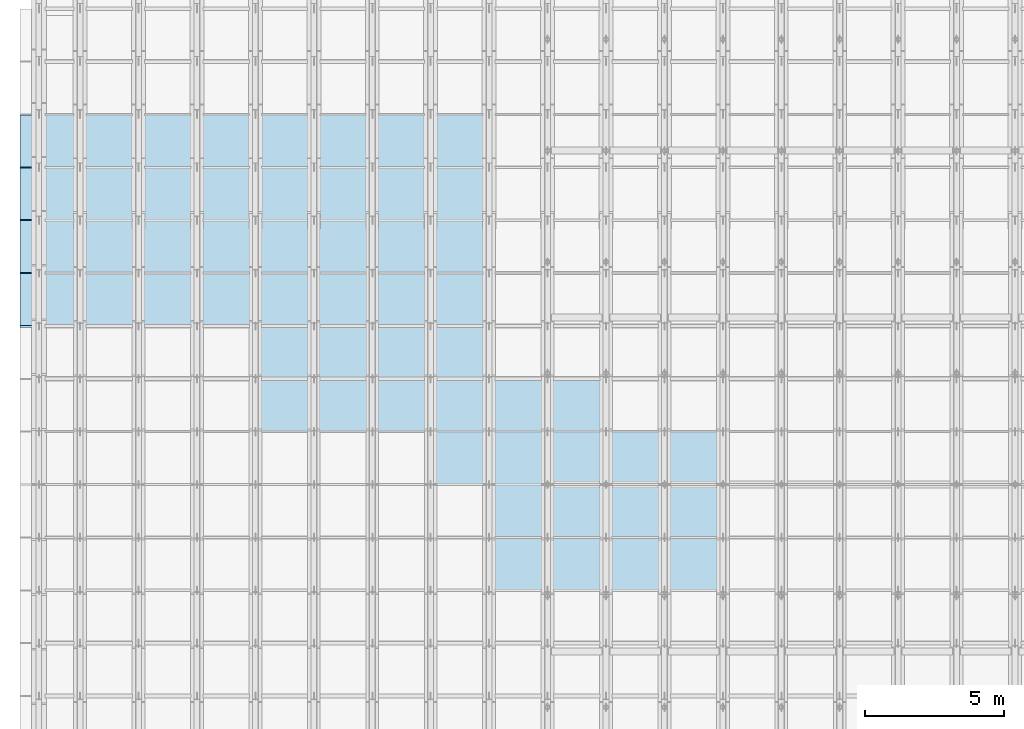
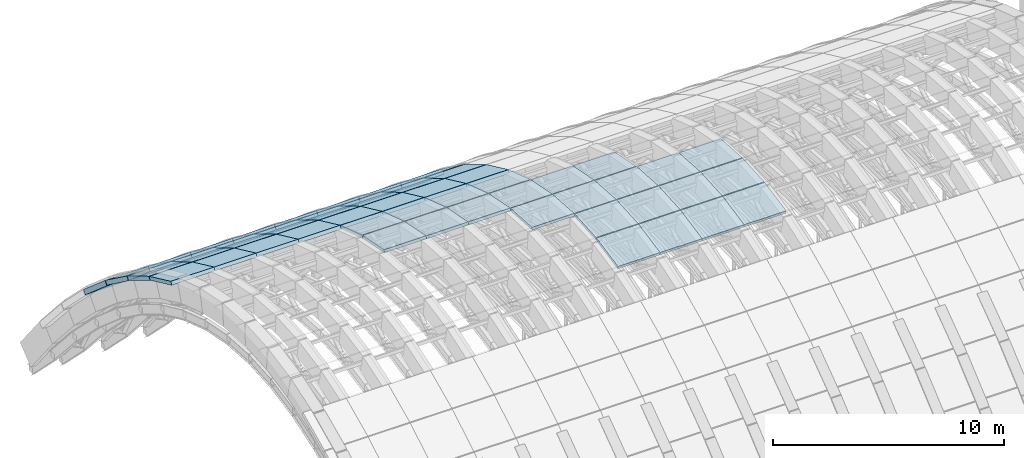
# One storey, part 53 of 67: 55 plates, 1 element without a shape of its own.
"""IFC4 building model written with IfcOpenShell, lengths in metres."""

from ifc_helpers import new_model, si_unit, direction, frame, origin, place, context, subcontext, project, spatial, polyline, outline, extrude, material, layer, layer_set, type_object, element, aggregate, save


model = new_model("IFC4")

# Units and contexts
model_context = context("Model", 3, precision=1e-05, world=origin(), true_north=direction((0.0, 1.0)))
body_context = subcontext(model_context, "Body", "Model", "MODEL_VIEW")
ifc_project = project(units=[si_unit("LENGTHUNIT", "METRE"), si_unit("AREAUNIT", "SQUARE_METRE"), si_unit("VOLUMEUNIT", "CUBIC_METRE"), si_unit("PLANEANGLEUNIT", "RADIAN"), si_unit("MASSUNIT", "GRAM", prefix="KILO")], contexts=[model_context])

# Site, building, storey
site_placement = place(None, origin())
site = spatial("IfcSite", under=ifc_project, at=site_placement, CompositionType="ELEMENT")
building_placement = place(site_placement, origin())
building = spatial("IfcBuilding", under=site, at=building_placement, Name="Shengluoqiao Park Theatre", CompositionType="ELEMENT")
storey_placement = place(building_placement, frame((0.0, 0.0, 28.60009765625)))
storey = spatial("IfcBuildingStorey", under=building, at=storey_placement, Name="Roof", CompositionType="ELEMENT", Elevation=28.60009765625)

# Roof, plates
ifc_material = material(Name="Concrete C50", Category="concrete")
roof_type = type_object("IfcRoofType", Name="STR-ROOF-BARREL", PredefinedType="BARREL_ROOF", material=ifc_material)
roof_placement = place(storey_placement, origin())
roof = element("IfcRoof", 1, at=roof_placement, inside=storey, type_object=roof_type, Name="Main Theatre Barrel-Vault Thin-Shell Roof", PredefinedType="BARREL_ROOF")
ifc_layer_1 = layer(ifc_material, 0.25, Name="Concrete C50")
ifc_layer_set_1 = layer_set([ifc_layer_1], Name="Concrete C50")
plate_type_1 = type_object("IfcPlateType", Name="STR-SHP-SP-04", PredefinedType="USERDEFINED", material=ifc_layer_set_1)
plate_1_placement = place(storey_placement, frame((44.340087890625, 106.41796875, -1.350341796875), z_axis=(0.0, 0.653002411915, 0.757355827886), x_axis=(1.0, 0.0, 0.0)))
plate_1 = element("IfcPlate", 2, at=plate_1_placement, type_object=plate_type_1, Name="Barrel-Vault Shell Panel B01-S17", ObjectType="SHELL PANEL", PredefinedType="USERDEFINED", context=body_context, shape_type="SweptSolid", body=[
    extrude(outline(polyline([(0.0, 0.0), (2.159912109375, 0.0), (2.159912109375, 2.461212554577048), (0.0, 2.461212554577048), (0.0, 0.0)])), origin(), (0.0, 0.0, -1.0), 0.25),
])
plate_2_placement = place(storey_placement, frame((46.5, 106.41796875, -1.350341796875), z_axis=(0.0, 0.653002411915, 0.757355827886), x_axis=(1.0, 0.0, 0.0)))
plate_2 = element("IfcPlate", 3, at=plate_2_placement, type_object=plate_type_1, Name="Barrel-Vault Shell Panel B02-S17", ObjectType="SHELL PANEL", PredefinedType="USERDEFINED", context=body_context, shape_type="SweptSolid", body=[
    extrude(outline(polyline([(0.0, 0.0), (2.10009765625, 0.0), (2.10009765625, 2.461212554577048), (0.0, 2.461212554577048), (0.0, 0.0)])), origin(), (0.0, 0.0, -1.0), 0.25),
])
plate_3_placement = place(storey_placement, frame((48.60009765625, 106.41796875, -1.350341796875), z_axis=(0.0, 0.653002411915, 0.757355827886), x_axis=(1.0, 0.0, 0.0)))
plate_3 = element("IfcPlate", 4, at=plate_3_placement, type_object=plate_type_1, Name="Barrel-Vault Shell Panel B03-S17", ObjectType="SHELL PANEL", PredefinedType="USERDEFINED", context=body_context, shape_type="SweptSolid", body=[
    extrude(outline(polyline([(0.0, 0.0), (2.099853515625, 0.0), (2.099853515625, 2.461212554577048), (0.0, 2.461212554577048), (0.0, 0.0)])), origin(), (0.0, 0.0, -1.0), 0.25),
])
plate_4_placement = place(storey_placement, frame((50.699951171875, 106.41796875, -1.350341796875), z_axis=(0.0, 0.653002411915, 0.757355827886), x_axis=(1.0, 0.0, 0.0)))
plate_4 = element("IfcPlate", 5, at=plate_4_placement, type_object=plate_type_1, Name="Barrel-Vault Shell Panel B04-S17", ObjectType="SHELL PANEL", PredefinedType="USERDEFINED", context=body_context, shape_type="SweptSolid", body=[
    extrude(outline(polyline([(0.0, 0.0), (2.10009765625, 0.0), (2.10009765625, 2.461212554577048), (0.0, 2.461212554577048), (0.0, 0.0)])), origin(), (0.0, 0.0, -1.0), 0.25),
])
plate_5_placement = place(storey_placement, frame((52.800048828125, 106.41796875, -1.350341796875), z_axis=(0.0, 0.653002411915, 0.757355827886), x_axis=(1.0, 0.0, 0.0)))
plate_5 = element("IfcPlate", 6, at=plate_5_placement, type_object=plate_type_1, Name="Barrel-Vault Shell Panel B05-S17", ObjectType="SHELL PANEL", PredefinedType="USERDEFINED", context=body_context, shape_type="SweptSolid", body=[
    extrude(outline(polyline([(0.0, 0.0), (2.099853515625, 0.0), (2.099853515625, 2.461212554577048), (0.0, 2.461212554577048), (0.0, 0.0)])), origin(), (0.0, 0.0, -1.0), 0.25),
])
plate_6_placement = place(storey_placement, frame((54.89990234375, 106.41796875, -1.350341796875), z_axis=(0.0, 0.653002411915, 0.757355827886), x_axis=(1.0, 0.0, 0.0)))
plate_6 = element("IfcPlate", 7, at=plate_6_placement, type_object=plate_type_1, Name="Barrel-Vault Shell Panel B06-S17", ObjectType="SHELL PANEL", PredefinedType="USERDEFINED", context=body_context, shape_type="SweptSolid", body=[
    extrude(outline(polyline([(0.0, 0.0), (2.10009765625, 0.0), (2.10009765625, 2.461212554577048), (0.0, 2.461212554577048), (0.0, 0.0)])), origin(), (0.0, 0.0, -1.0), 0.25),
])
plate_7_placement = place(storey_placement, frame((57.0, 106.41796875, -1.350341796875), z_axis=(0.0, 0.653002411915, 0.757355827886), x_axis=(1.0, 0.0, 0.0)))
plate_7 = element("IfcPlate", 8, at=plate_7_placement, type_object=plate_type_1, Name="Barrel-Vault Shell Panel B07-S17", ObjectType="SHELL PANEL", PredefinedType="USERDEFINED", context=body_context, shape_type="SweptSolid", body=[
    extrude(outline(polyline([(0.0, 0.0), (2.10009765625, 0.0), (2.10009765625, 2.461212554577048), (0.0, 2.461212554577048), (0.0, 0.0)])), origin(), (0.0, 0.0, -1.0), 0.25),
])
plate_8_placement = place(storey_placement, frame((59.10009765625, 106.41796875, -1.350341796875), z_axis=(0.0, 0.653002411915, 0.757355827886), x_axis=(1.0, 0.0, 0.0)))
plate_8 = element("IfcPlate", 9, at=plate_8_placement, type_object=plate_type_1, Name="Barrel-Vault Shell Panel B08-S17", ObjectType="SHELL PANEL", PredefinedType="USERDEFINED", context=body_context, shape_type="SweptSolid", body=[
    extrude(outline(polyline([(0.0, 0.0), (2.099853515625, 0.0), (2.099853515625, 2.461212554577048), (0.0, 2.461212554577048), (0.0, 0.0)])), origin(), (0.0, 0.0, -1.0), 0.25),
])
ifc_layer_2 = layer(ifc_material, 0.219970703125, Name="Concrete C50")
ifc_layer_set_2 = layer_set([ifc_layer_2], Name="Concrete C50")
plate_type_2 = type_object("IfcPlateType", Name="STR-SHP-SP-05", PredefinedType="USERDEFINED", material=ifc_layer_set_2)
plate_9_placement = place(storey_placement, frame((44.340087890625, 104.51806640625, 0.037841796875), z_axis=(0.0, 0.589297368188, 0.807916215858), x_axis=(1.0, 0.0, 0.0)))
plate_9 = element("IfcPlate", 10, at=plate_9_placement, type_object=plate_type_2, Name="Barrel-Vault Shell Panel B01-S16", ObjectType="SHELL PANEL", PredefinedType="USERDEFINED", context=body_context, shape_type="SweptSolid", body=[
    extrude(outline(polyline([(0.0, 0.0), (2.159912109375, 0.0), (2.159912109375, 2.3071868533976145), (0.0, 2.3071868533976145), (0.0, 0.0)])), origin(), (0.0, 0.0, -1.0), 0.219970703125),
])
plate_10_placement = place(storey_placement, frame((46.5, 104.51806640625, 0.037841796875), z_axis=(0.0, 0.589297368188, 0.807916215858), x_axis=(1.0, 0.0, 0.0)))
plate_10 = element("IfcPlate", 11, at=plate_10_placement, type_object=plate_type_2, Name="Barrel-Vault Shell Panel B02-S16", ObjectType="SHELL PANEL", PredefinedType="USERDEFINED", context=body_context, shape_type="SweptSolid", body=[
    extrude(outline(polyline([(0.0, 0.0), (2.10009765625, 0.0), (2.10009765625, 2.307186853397614), (0.0, 2.307186853397614), (0.0, 0.0)])), origin(), (0.0, 0.0, -1.0), 0.219970703125),
])
plate_11_placement = place(storey_placement, frame((48.60009765625, 104.51806640625, 0.037841796875), z_axis=(0.0, 0.589297368188, 0.807916215858), x_axis=(1.0, 0.0, 0.0)))
plate_11 = element("IfcPlate", 12, at=plate_11_placement, type_object=plate_type_2, Name="Barrel-Vault Shell Panel B03-S16", ObjectType="SHELL PANEL", PredefinedType="USERDEFINED", context=body_context, shape_type="SweptSolid", body=[
    extrude(outline(polyline([(0.0, 0.0), (2.099853515625, 0.0), (2.099853515625, 2.307186853397614), (0.0, 2.307186853397614), (0.0, 0.0)])), origin(), (0.0, 0.0, -1.0), 0.219970703125),
])
plate_12_placement = place(storey_placement, frame((50.699951171875, 104.51806640625, 0.037841796875), z_axis=(0.0, 0.589297368188, 0.807916215858), x_axis=(1.0, 0.0, 0.0)))
plate_12 = element("IfcPlate", 13, at=plate_12_placement, type_object=plate_type_2, Name="Barrel-Vault Shell Panel B04-S16", ObjectType="SHELL PANEL", PredefinedType="USERDEFINED", context=body_context, shape_type="SweptSolid", body=[
    extrude(outline(polyline([(0.0, 0.0), (2.10009765625, 0.0), (2.10009765625, 2.307186853397614), (0.0, 2.307186853397614), (0.0, 0.0)])), origin(), (0.0, 0.0, -1.0), 0.219970703125),
])
plate_13_placement = place(storey_placement, frame((52.800048828125, 104.51806640625, 0.037841796875), z_axis=(0.0, 0.589297368188, 0.807916215858), x_axis=(1.0, 0.0, 0.0)))
plate_13 = element("IfcPlate", 14, at=plate_13_placement, type_object=plate_type_2, Name="Barrel-Vault Shell Panel B05-S16", ObjectType="SHELL PANEL", PredefinedType="USERDEFINED", context=body_context, shape_type="SweptSolid", body=[
    extrude(outline(polyline([(0.0, 0.0), (2.099853515625, 0.0), (2.099853515625, 2.307186853397614), (0.0, 2.307186853397614), (0.0, 0.0)])), origin(), (0.0, 0.0, -1.0), 0.219970703125),
])
plate_14_placement = place(storey_placement, frame((54.89990234375, 104.51806640625, 0.037841796875), z_axis=(0.0, 0.589297368188, 0.807916215858), x_axis=(1.0, 0.0, 0.0)))
plate_14 = element("IfcPlate", 15, at=plate_14_placement, type_object=plate_type_2, Name="Barrel-Vault Shell Panel B06-S16", ObjectType="SHELL PANEL", PredefinedType="USERDEFINED", context=body_context, shape_type="SweptSolid", body=[
    extrude(outline(polyline([(0.0, 0.0), (2.10009765625, 0.0), (2.10009765625, 2.307186853397614), (0.0, 2.307186853397614), (0.0, 0.0)])), origin(), (0.0, 0.0, -1.0), 0.219970703125),
])
plate_15_placement = place(storey_placement, frame((57.0, 104.51806640625, 0.037841796875), z_axis=(0.0, 0.589297368188, 0.807916215858), x_axis=(1.0, 0.0, 0.0)))
plate_15 = element("IfcPlate", 16, at=plate_15_placement, type_object=plate_type_2, Name="Barrel-Vault Shell Panel B07-S16", ObjectType="SHELL PANEL", PredefinedType="USERDEFINED", context=body_context, shape_type="SweptSolid", body=[
    extrude(outline(polyline([(0.0, 0.0), (2.10009765625, 0.0), (2.10009765625, 2.307186853397614), (0.0, 2.307186853397614), (0.0, 0.0)])), origin(), (0.0, 0.0, -1.0), 0.219970703125),
])
plate_16_placement = place(storey_placement, frame((59.10009765625, 104.51806640625, 0.037841796875), z_axis=(0.0, 0.589297368188, 0.807916215858), x_axis=(1.0, 0.0, 0.0)))
plate_16 = element("IfcPlate", 17, at=plate_16_placement, type_object=plate_type_2, Name="Barrel-Vault Shell Panel B08-S16", ObjectType="SHELL PANEL", PredefinedType="USERDEFINED", context=body_context, shape_type="SweptSolid", body=[
    extrude(outline(polyline([(0.0, 0.0), (2.099853515625, 0.0), (2.099853515625, 2.307186853397614), (0.0, 2.307186853397614), (0.0, 0.0)])), origin(), (0.0, 0.0, -1.0), 0.219970703125),
])
ifc_layer_3 = layer(ifc_material, 0.199951171875, Name="Concrete C50")
ifc_layer_set_3 = layer_set([ifc_layer_3], Name="Concrete C50")
plate_type_3 = type_object("IfcPlateType", Name="STR-SHP-SP-06", PredefinedType="USERDEFINED", material=ifc_layer_set_3)
plate_17_placement = place(storey_placement, frame((44.340087890625, 102.617919921875, 1.17431640625), z_axis=(0.0, 0.512509675023, 0.858681450253), x_axis=(1.0, 0.0, 0.0)))
plate_17 = element("IfcPlate", 18, at=plate_17_placement, type_object=plate_type_3, Name="Barrel-Vault Shell Panel B01-S15", ObjectType="SHELL PANEL", PredefinedType="USERDEFINED", context=body_context, shape_type="SweptSolid", body=[
    extrude(outline(polyline([(0.0, 0.0), (2.159912109375, 0.0), (2.159912109375, 2.1707860014057654), (0.0, 2.1707860014057654), (0.0, 0.0)])), origin(), (0.0, 0.0, -1.0), 0.199951171875),
])
plate_18_placement = place(storey_placement, frame((46.5, 102.617919921875, 1.17431640625), z_axis=(0.0, 0.512509675023, 0.858681450253), x_axis=(1.0, 0.0, 0.0)))
plate_18 = element("IfcPlate", 19, at=plate_18_placement, type_object=plate_type_3, Name="Barrel-Vault Shell Panel B02-S15", ObjectType="SHELL PANEL", PredefinedType="USERDEFINED", context=body_context, shape_type="SweptSolid", body=[
    extrude(outline(polyline([(0.0, 0.0), (2.10009765625, 0.0), (2.10009765625, 2.1707860014057654), (0.0, 2.1707860014057654), (0.0, 0.0)])), origin(), (0.0, 0.0, -1.0), 0.199951171875),
])
plate_19_placement = place(storey_placement, frame((48.60009765625, 102.617919921875, 1.17431640625), z_axis=(0.0, 0.512509675023, 0.858681450253), x_axis=(1.0, 0.0, 0.0)))
plate_19 = element("IfcPlate", 20, at=plate_19_placement, type_object=plate_type_3, Name="Barrel-Vault Shell Panel B03-S15", ObjectType="SHELL PANEL", PredefinedType="USERDEFINED", context=body_context, shape_type="SweptSolid", body=[
    extrude(outline(polyline([(0.0, 0.0), (2.099853515625, 0.0), (2.099853515625, 2.1707860014057654), (0.0, 2.1707860014057654), (0.0, 0.0)])), origin(), (0.0, 0.0, -1.0), 0.199951171875),
])
plate_20_placement = place(storey_placement, frame((50.699951171875, 102.617919921875, 1.17431640625), z_axis=(0.0, 0.512509675023, 0.858681450253), x_axis=(1.0, 0.0, 0.0)))
plate_20 = element("IfcPlate", 21, at=plate_20_placement, type_object=plate_type_3, Name="Barrel-Vault Shell Panel B04-S15", ObjectType="SHELL PANEL", PredefinedType="USERDEFINED", context=body_context, shape_type="SweptSolid", body=[
    extrude(outline(polyline([(0.0, 0.0), (2.10009765625, 0.0), (2.10009765625, 2.1707860014057654), (0.0, 2.1707860014057654), (0.0, 0.0)])), origin(), (0.0, 0.0, -1.0), 0.199951171875),
])
plate_21_placement = place(storey_placement, frame((52.800048828125, 102.617919921875, 1.17431640625), z_axis=(0.0, 0.512509675023, 0.858681450253), x_axis=(1.0, 0.0, 0.0)))
plate_21 = element("IfcPlate", 22, at=plate_21_placement, type_object=plate_type_3, Name="Barrel-Vault Shell Panel B05-S15", ObjectType="SHELL PANEL", PredefinedType="USERDEFINED", context=body_context, shape_type="SweptSolid", body=[
    extrude(outline(polyline([(0.0, 0.0), (2.099853515625, 0.0), (2.099853515625, 2.1707860014057654), (0.0, 2.1707860014057654), (0.0, 0.0)])), origin(), (0.0, 0.0, -1.0), 0.199951171875),
])
plate_22_placement = place(storey_placement, frame((54.89990234375, 102.617919921875, 1.17431640625), z_axis=(0.0, 0.512509675023, 0.858681450253), x_axis=(1.0, 0.0, 0.0)))
plate_22 = element("IfcPlate", 23, at=plate_22_placement, type_object=plate_type_3, Name="Barrel-Vault Shell Panel B06-S15", ObjectType="SHELL PANEL", PredefinedType="USERDEFINED", context=body_context, shape_type="SweptSolid", body=[
    extrude(outline(polyline([(0.0, 0.0), (2.10009765625, 0.0), (2.10009765625, 2.1707860014057654), (0.0, 2.1707860014057654), (0.0, 0.0)])), origin(), (0.0, 0.0, -1.0), 0.199951171875),
])
plate_23_placement = place(storey_placement, frame((57.0, 102.617919921875, 1.17431640625), z_axis=(0.0, 0.512509675023, 0.858681450253), x_axis=(1.0, 0.0, 0.0)))
plate_23 = element("IfcPlate", 24, at=plate_23_placement, type_object=plate_type_3, Name="Barrel-Vault Shell Panel B07-S15", ObjectType="SHELL PANEL", PredefinedType="USERDEFINED", context=body_context, shape_type="SweptSolid", body=[
    extrude(outline(polyline([(0.0, 0.0), (2.10009765625, 0.0), (2.10009765625, 2.1707860014057654), (0.0, 2.1707860014057654), (0.0, 0.0)])), origin(), (0.0, 0.0, -1.0), 0.199951171875),
])
plate_24_placement = place(storey_placement, frame((59.10009765625, 102.617919921875, 1.17431640625), z_axis=(0.0, 0.512509675023, 0.858681450253), x_axis=(1.0, 0.0, 0.0)))
plate_24 = element("IfcPlate", 25, at=plate_24_placement, type_object=plate_type_3, Name="Barrel-Vault Shell Panel B08-S15", ObjectType="SHELL PANEL", PredefinedType="USERDEFINED", context=body_context, shape_type="SweptSolid", body=[
    extrude(outline(polyline([(0.0, 0.0), (2.099853515625, 0.0), (2.099853515625, 2.1707860014057654), (0.0, 2.1707860014057654), (0.0, 0.0)])), origin(), (0.0, 0.0, -1.0), 0.199951171875),
])
ifc_layer_4 = layer(ifc_material, 0.179931640625, Name="Concrete C50")
ifc_layer_set_4 = layer_set([ifc_layer_4], Name="Concrete C50")
plate_type_4 = type_object("IfcPlateType", Name="STR-SHP-SP-07", PredefinedType="USERDEFINED", material=ifc_layer_set_4)
plate_25_placement = place(storey_placement, frame((44.340087890625, 100.718017578125, 2.058837890625), z_axis=(0.0, 0.421128757918, 0.907000865079), x_axis=(1.0, 0.0, 0.0)))
plate_25 = element("IfcPlate", 26, at=plate_25_placement, type_object=plate_type_4, Name="Barrel-Vault Shell Panel B01-S14", ObjectType="SHELL PANEL", PredefinedType="USERDEFINED", context=body_context, shape_type="SweptSolid", body=[
    extrude(outline(polyline([(0.0, 0.0), (2.159912109375, 0.0), (2.159912109375, 2.0551399051999777), (0.0, 2.0551399051999777), (0.0, 0.0)])), origin(), (0.0, 0.0, -1.0), 0.179931640625),
])
plate_26_placement = place(storey_placement, frame((46.5, 100.718017578125, 2.058837890625), z_axis=(0.0, 0.421128757918, 0.907000865079), x_axis=(1.0, 0.0, 0.0)))
plate_26 = element("IfcPlate", 27, at=plate_26_placement, type_object=plate_type_4, Name="Barrel-Vault Shell Panel B02-S14", ObjectType="SHELL PANEL", PredefinedType="USERDEFINED", context=body_context, shape_type="SweptSolid", body=[
    extrude(outline(polyline([(0.0, 0.0), (2.10009765625, 0.0), (2.10009765625, 2.0551399051999777), (0.0, 2.0551399051999777), (0.0, 0.0)])), origin(), (0.0, 0.0, -1.0), 0.179931640625),
])
plate_27_placement = place(storey_placement, frame((48.60009765625, 100.718017578125, 2.058837890625), z_axis=(0.0, 0.421128757918, 0.907000865079), x_axis=(1.0, 0.0, 0.0)))
plate_27 = element("IfcPlate", 28, at=plate_27_placement, type_object=plate_type_4, Name="Barrel-Vault Shell Panel B03-S14", ObjectType="SHELL PANEL", PredefinedType="USERDEFINED", context=body_context, shape_type="SweptSolid", body=[
    extrude(outline(polyline([(0.0, 0.0), (2.099853515625, 0.0), (2.099853515625, 2.055139905199978), (0.0, 2.055139905199978), (0.0, 0.0)])), origin(), (0.0, 0.0, -1.0), 0.179931640625),
])
plate_28_placement = place(storey_placement, frame((50.699951171875, 100.718017578125, 2.058837890625), z_axis=(0.0, 0.421128757918, 0.907000865079), x_axis=(1.0, 0.0, 0.0)))
plate_28 = element("IfcPlate", 29, at=plate_28_placement, type_object=plate_type_4, Name="Barrel-Vault Shell Panel B04-S14", ObjectType="SHELL PANEL", PredefinedType="USERDEFINED", context=body_context, shape_type="SweptSolid", body=[
    extrude(outline(polyline([(0.0, 0.0), (2.10009765625, 0.0), (2.10009765625, 2.0551399051999777), (0.0, 2.0551399051999777), (0.0, 0.0)])), origin(), (0.0, 0.0, -1.0), 0.179931640625),
])
plate_29_placement = place(storey_placement, frame((52.800048828125, 100.718017578125, 2.058837890625), z_axis=(0.0, 0.421128757918, 0.907000865079), x_axis=(1.0, 0.0, 0.0)))
plate_29 = element("IfcPlate", 30, at=plate_29_placement, type_object=plate_type_4, Name="Barrel-Vault Shell Panel B05-S14", ObjectType="SHELL PANEL", PredefinedType="USERDEFINED", context=body_context, shape_type="SweptSolid", body=[
    extrude(outline(polyline([(0.0, 0.0), (2.099853515625, 0.0), (2.099853515625, 2.055139905199978), (0.0, 2.055139905199978), (0.0, 0.0)])), origin(), (0.0, 0.0, -1.0), 0.179931640625),
])
plate_30_placement = place(storey_placement, frame((54.89990234375, 100.718017578125, 2.058837890625), z_axis=(0.0, 0.421128757918, 0.907000865079), x_axis=(1.0, 0.0, 0.0)))
plate_30 = element("IfcPlate", 31, at=plate_30_placement, type_object=plate_type_4, Name="Barrel-Vault Shell Panel B06-S14", ObjectType="SHELL PANEL", PredefinedType="USERDEFINED", context=body_context, shape_type="SweptSolid", body=[
    extrude(outline(polyline([(0.0, 0.0), (2.10009765625, 0.0), (2.10009765625, 2.0551399051999777), (0.0, 2.0551399051999777), (0.0, 0.0)])), origin(), (0.0, 0.0, -1.0), 0.179931640625),
])
plate_31_placement = place(storey_placement, frame((57.0, 100.718017578125, 2.058837890625), z_axis=(0.0, 0.421128757918, 0.907000865079), x_axis=(1.0, 0.0, 0.0)))
plate_31 = element("IfcPlate", 32, at=plate_31_placement, type_object=plate_type_4, Name="Barrel-Vault Shell Panel B07-S14", ObjectType="SHELL PANEL", PredefinedType="USERDEFINED", context=body_context, shape_type="SweptSolid", body=[
    extrude(outline(polyline([(0.0, 0.0), (2.10009765625, 0.0), (2.10009765625, 2.0551399051999777), (0.0, 2.0551399051999777), (0.0, 0.0)])), origin(), (0.0, 0.0, -1.0), 0.179931640625),
])
plate_32_placement = place(storey_placement, frame((59.10009765625, 100.718017578125, 2.058837890625), z_axis=(0.0, 0.421128757918, 0.907000865079), x_axis=(1.0, 0.0, 0.0)))
plate_32 = element("IfcPlate", 33, at=plate_32_placement, type_object=plate_type_4, Name="Barrel-Vault Shell Panel B08-S14", ObjectType="SHELL PANEL", PredefinedType="USERDEFINED", context=body_context, shape_type="SweptSolid", body=[
    extrude(outline(polyline([(0.0, 0.0), (2.099853515625, 0.0), (2.099853515625, 2.055139905199978), (0.0, 2.055139905199978), (0.0, 0.0)])), origin(), (0.0, 0.0, -1.0), 0.179931640625),
])
ifc_layer_5 = layer(ifc_material, 0.169921875, Name="Concrete C50")
ifc_layer_set_5 = layer_set([ifc_layer_5], Name="Concrete C50")
plate_type_5 = type_object("IfcPlateType", Name="STR-SHP-SP-08", PredefinedType="USERDEFINED", material=ifc_layer_set_5)
plate_33_placement = place(storey_placement, frame((52.800048828125, 98.818115234375, 2.691162109375), z_axis=(0.0, 0.314810021978, 0.949154702913), x_axis=(1.0, 0.0, 0.0)))
plate_33 = element("IfcPlate", 34, at=plate_33_placement, type_object=plate_type_5, Name="Barrel-Vault Shell Panel B05-S13", ObjectType="SHELL PANEL", PredefinedType="USERDEFINED", context=body_context, shape_type="SweptSolid", body=[
    extrude(outline(polyline([(0.0, 0.0), (2.099853515625, 0.0), (2.099853515625, 1.9636098578338692), (0.0, 1.9636098578338692), (0.0, 0.0)])), origin(), (0.0, 0.0, -1.0), 0.169921875),
])
plate_34_placement = place(storey_placement, frame((54.89990234375, 98.818115234375, 2.691162109375), z_axis=(0.0, 0.314810021978, 0.949154702913), x_axis=(1.0, 0.0, 0.0)))
plate_34 = element("IfcPlate", 35, at=plate_34_placement, type_object=plate_type_5, Name="Barrel-Vault Shell Panel B06-S13", ObjectType="SHELL PANEL", PredefinedType="USERDEFINED", context=body_context, shape_type="SweptSolid", body=[
    extrude(outline(polyline([(0.0, 0.0), (2.10009765625, 0.0), (2.10009765625, 1.9636098578338692), (0.0, 1.9636098578338692), (0.0, 0.0)])), origin(), (0.0, 0.0, -1.0), 0.169921875),
])
plate_35_placement = place(storey_placement, frame((57.0, 98.818115234375, 2.691162109375), z_axis=(0.0, 0.314810021978, 0.949154702913), x_axis=(1.0, 0.0, 0.0)))
plate_35 = element("IfcPlate", 36, at=plate_35_placement, type_object=plate_type_5, Name="Barrel-Vault Shell Panel B07-S13", ObjectType="SHELL PANEL", PredefinedType="USERDEFINED", context=body_context, shape_type="SweptSolid", body=[
    extrude(outline(polyline([(0.0, 0.0), (2.10009765625, 0.0), (2.10009765625, 1.9636098578338692), (0.0, 1.9636098578338692), (0.0, 0.0)])), origin(), (0.0, 0.0, -1.0), 0.169921875),
])
plate_36_placement = place(storey_placement, frame((59.10009765625, 98.818115234375, 2.691162109375), z_axis=(0.0, 0.314810021978, 0.949154702913), x_axis=(1.0, 0.0, 0.0)))
plate_36 = element("IfcPlate", 37, at=plate_36_placement, type_object=plate_type_5, Name="Barrel-Vault Shell Panel B08-S13", ObjectType="SHELL PANEL", PredefinedType="USERDEFINED", context=body_context, shape_type="SweptSolid", body=[
    extrude(outline(polyline([(0.0, 0.0), (2.099853515625, 0.0), (2.099853515625, 1.9636098578338692), (0.0, 1.9636098578338692), (0.0, 0.0)])), origin(), (0.0, 0.0, -1.0), 0.169921875),
])
ifc_layer_6 = layer(ifc_material, 0.14990234375, Name="Concrete C50")
ifc_layer_set_6 = layer_set([ifc_layer_6], Name="Concrete C50")
plate_type_6 = type_object("IfcPlateType", Name="STR-SHP-SP-09", PredefinedType="USERDEFINED", material=ifc_layer_set_6)
plate_37_placement = place(storey_placement, frame((52.800048828125, 96.91796875, 3.071533203125), z_axis=(0.0, 0.195127896118, 0.980777805701), x_axis=(1.0, 0.0, 0.0)))
plate_37 = element("IfcPlate", 38, at=plate_37_placement, type_object=plate_type_6, Name="Barrel-Vault Shell Panel B05-S12", ObjectType="SHELL PANEL", PredefinedType="USERDEFINED", context=body_context, shape_type="SweptSolid", body=[
    extrude(outline(polyline([(0.0, 0.0), (2.099853515625, 0.0), (2.099853515625, 1.9005463429526024), (0.0, 1.9005463429526024), (0.0, 0.0)])), origin(), (0.0, 0.0, -1.0), 0.14990234375),
])
plate_38_placement = place(storey_placement, frame((54.89990234375, 96.91796875, 3.071533203125), z_axis=(0.0, 0.195127896118, 0.980777805701), x_axis=(1.0, 0.0, 0.0)))
plate_38 = element("IfcPlate", 39, at=plate_38_placement, type_object=plate_type_6, Name="Barrel-Vault Shell Panel B06-S12", ObjectType="SHELL PANEL", PredefinedType="USERDEFINED", context=body_context, shape_type="SweptSolid", body=[
    extrude(outline(polyline([(0.0, 0.0), (2.10009765625, 0.0), (2.10009765625, 1.9005463429526022), (0.0, 1.9005463429526022), (0.0, 0.0)])), origin(), (0.0, 0.0, -1.0), 0.14990234375),
])
plate_39_placement = place(storey_placement, frame((57.0, 96.91796875, 3.071533203125), z_axis=(0.0, 0.195127896118, 0.980777805701), x_axis=(1.0, 0.0, 0.0)))
plate_39 = element("IfcPlate", 40, at=plate_39_placement, type_object=plate_type_6, Name="Barrel-Vault Shell Panel B07-S12", ObjectType="SHELL PANEL", PredefinedType="USERDEFINED", context=body_context, shape_type="SweptSolid", body=[
    extrude(outline(polyline([(0.0, 0.0), (2.10009765625, 0.0), (2.10009765625, 1.9005463429526022), (0.0, 1.9005463429526022), (0.0, 0.0)])), origin(), (0.0, 0.0, -1.0), 0.14990234375),
])
plate_40_placement = place(storey_placement, frame((59.10009765625, 96.91796875, 3.071533203125), z_axis=(0.0, 0.195127896118, 0.980777805701), x_axis=(1.0, 0.0, 0.0)))
plate_40 = element("IfcPlate", 41, at=plate_40_placement, type_object=plate_type_6, Name="Barrel-Vault Shell Panel B08-S12", ObjectType="SHELL PANEL", PredefinedType="USERDEFINED", context=body_context, shape_type="SweptSolid", body=[
    extrude(outline(polyline([(0.0, 0.0), (2.099853515625, 0.0), (2.099853515625, 1.9005463429526024), (0.0, 1.9005463429526024), (0.0, 0.0)])), origin(), (0.0, 0.0, -1.0), 0.14990234375),
])
plate_41_placement = place(storey_placement, frame((61.199951171875, 91.218017578125, 2.70068359375), z_axis=(0.0, -0.195127896118, 0.980777805701), x_axis=(1.0, 0.0, 0.0)))
plate_41 = element("IfcPlate", 42, at=plate_41_placement, type_object=plate_type_6, Name="Barrel-Vault Shell Panel B09-S09", ObjectType="SHELL PANEL", PredefinedType="USERDEFINED", context=body_context, shape_type="SweptSolid", body=[
    extrude(outline(polyline([(0.0, 0.0), (2.10009765625, 0.0), (2.10009765625, 1.9005463429526022), (0.0, 1.9005463429526022), (0.0, 0.0)])), origin(), (0.0, 0.0, -1.0), 0.14990234375),
])
plate_42_placement = place(storey_placement, frame((61.199951171875, 96.91796875, 3.071533203125), z_axis=(0.0, 0.195127896118, 0.980777805701), x_axis=(1.0, 0.0, 0.0)))
plate_42 = element("IfcPlate", 43, at=plate_42_placement, type_object=plate_type_6, Name="Barrel-Vault Shell Panel B09-S12", ObjectType="SHELL PANEL", PredefinedType="USERDEFINED", context=body_context, shape_type="SweptSolid", body=[
    extrude(outline(polyline([(0.0, 0.0), (2.10009765625, 0.0), (2.10009765625, 1.9005463429526022), (0.0, 1.9005463429526022), (0.0, 0.0)])), origin(), (0.0, 0.0, -1.0), 0.14990234375),
])
plate_43_placement = place(storey_placement, frame((63.300048828125, 91.218017578125, 2.70068359375), z_axis=(0.0, -0.195127896118, 0.980777805701), x_axis=(1.0, 0.0, 0.0)))
plate_43 = element("IfcPlate", 44, at=plate_43_placement, type_object=plate_type_6, Name="Barrel-Vault Shell Panel B10-S09", ObjectType="SHELL PANEL", PredefinedType="USERDEFINED", context=body_context, shape_type="SweptSolid", body=[
    extrude(outline(polyline([(0.0, 0.0), (2.099853515625, 0.0), (2.099853515625, 1.9005463429526024), (0.0, 1.9005463429526024), (0.0, 0.0)])), origin(), (0.0, 0.0, -1.0), 0.14990234375),
])
plate_44_placement = place(storey_placement, frame((63.300048828125, 96.91796875, 3.071533203125), z_axis=(0.0, 0.195127896118, 0.980777805701), x_axis=(1.0, 0.0, 0.0)))
plate_44 = element("IfcPlate", 45, at=plate_44_placement, type_object=plate_type_6, Name="Barrel-Vault Shell Panel B10-S12", ObjectType="SHELL PANEL", PredefinedType="USERDEFINED", context=body_context, shape_type="SweptSolid", body=[
    extrude(outline(polyline([(0.0, 0.0), (2.099853515625, 0.0), (2.099853515625, 1.9005463429526024), (0.0, 1.9005463429526024), (0.0, 0.0)])), origin(), (0.0, 0.0, -1.0), 0.14990234375),
])
plate_45_placement = place(storey_placement, frame((65.39990234375, 91.218017578125, 2.70068359375), z_axis=(0.0, -0.195127896118, 0.980777805701), x_axis=(1.0, 0.0, 0.0)))
plate_45 = element("IfcPlate", 46, at=plate_45_placement, type_object=plate_type_6, Name="Barrel-Vault Shell Panel B11-S09", ObjectType="SHELL PANEL", PredefinedType="USERDEFINED", context=body_context, shape_type="SweptSolid", body=[
    extrude(outline(polyline([(0.0, 0.0), (2.10009765625, 0.0), (2.10009765625, 1.9005463429526022), (0.0, 1.9005463429526022), (0.0, 0.0)])), origin(), (0.0, 0.0, -1.0), 0.14990234375),
])
plate_46_placement = place(storey_placement, frame((67.5, 91.218017578125, 2.70068359375), z_axis=(0.0, -0.195127896118, 0.980777805701), x_axis=(1.0, 0.0, 0.0)))
plate_46 = element("IfcPlate", 47, at=plate_46_placement, type_object=plate_type_6, Name="Barrel-Vault Shell Panel B12-S09", ObjectType="SHELL PANEL", PredefinedType="USERDEFINED", context=body_context, shape_type="SweptSolid", body=[
    extrude(outline(polyline([(0.0, 0.0), (2.10009765625, 0.0), (2.10009765625, 1.9005463429526022), (0.0, 1.9005463429526022), (0.0, 0.0)])), origin(), (0.0, 0.0, -1.0), 0.14990234375),
])
ifc_layer_7 = layer(ifc_material, 0.139892578125, Name="Concrete C50")
ifc_layer_set_7 = layer_set([ifc_layer_7], Name="Concrete C50")
plate_type_7 = type_object("IfcPlateType", Name="STR-SHP-SP-10", PredefinedType="USERDEFINED", material=ifc_layer_set_7)
plate_47_placement = place(storey_placement, frame((59.10009765625, 95.01806640625, 3.199951171875), z_axis=(0.0, 0.066258788899, 0.997802471882), x_axis=(1.0, 0.0, 0.0)))
plate_47 = element("IfcPlate", 48, at=plate_47_placement, type_object=plate_type_7, Name="Barrel-Vault Shell Panel B08-S11", ObjectType="SHELL PANEL", PredefinedType="USERDEFINED", context=body_context, shape_type="SweptSolid", body=[
    extrude(outline(polyline([(0.0, 0.0), (2.099853515625, 0.0), (2.099853515625, 1.8681189157202465), (0.0, 1.8681189157202465), (0.0, 0.0)])), origin(), (0.0, 0.0, -1.0), 0.139892578125),
])
plate_48_placement = place(storey_placement, frame((61.199951171875, 93.117919921875, 3.076171875), z_axis=(0.0, -0.066258788899, 0.997802471882), x_axis=(1.0, 0.0, 0.0)))
plate_48 = element("IfcPlate", 49, at=plate_48_placement, type_object=plate_type_7, Name="Barrel-Vault Shell Panel B09-S10", ObjectType="SHELL PANEL", PredefinedType="USERDEFINED", context=body_context, shape_type="SweptSolid", body=[
    extrude(outline(polyline([(0.0, 0.0), (2.10009765625, 0.0), (2.10009765625, 1.8681189157202462), (0.0, 1.8681189157202462), (0.0, 0.0)])), origin(), (0.0, 0.0, -1.0), 0.139892578125),
])
plate_49_placement = place(storey_placement, frame((61.199951171875, 95.01806640625, 3.199951171875), z_axis=(0.0, 0.066258788899, 0.997802471882), x_axis=(1.0, 0.0, 0.0)))
plate_49 = element("IfcPlate", 50, at=plate_49_placement, type_object=plate_type_7, Name="Barrel-Vault Shell Panel B09-S11", ObjectType="SHELL PANEL", PredefinedType="USERDEFINED", context=body_context, shape_type="SweptSolid", body=[
    extrude(outline(polyline([(0.0, 0.0), (2.10009765625, 0.0), (2.10009765625, 1.8681189157202462), (0.0, 1.8681189157202462), (0.0, 0.0)])), origin(), (0.0, 0.0, -1.0), 0.139892578125),
])
plate_50_placement = place(storey_placement, frame((63.300048828125, 93.117919921875, 3.076171875), z_axis=(0.0, -0.066258788899, 0.997802471882), x_axis=(1.0, 0.0, 0.0)))
plate_50 = element("IfcPlate", 51, at=plate_50_placement, type_object=plate_type_7, Name="Barrel-Vault Shell Panel B10-S10", ObjectType="SHELL PANEL", PredefinedType="USERDEFINED", context=body_context, shape_type="SweptSolid", body=[
    extrude(outline(polyline([(0.0, 0.0), (2.099853515625, 0.0), (2.099853515625, 1.8681189157202465), (0.0, 1.8681189157202465), (0.0, 0.0)])), origin(), (0.0, 0.0, -1.0), 0.139892578125),
])
plate_51_placement = place(storey_placement, frame((63.300048828125, 95.01806640625, 3.199951171875), z_axis=(0.0, 0.066258788899, 0.997802471882), x_axis=(1.0, 0.0, 0.0)))
plate_51 = element("IfcPlate", 52, at=plate_51_placement, type_object=plate_type_7, Name="Barrel-Vault Shell Panel B10-S11", ObjectType="SHELL PANEL", PredefinedType="USERDEFINED", context=body_context, shape_type="SweptSolid", body=[
    extrude(outline(polyline([(0.0, 0.0), (2.099853515625, 0.0), (2.099853515625, 1.8681189157202465), (0.0, 1.8681189157202465), (0.0, 0.0)])), origin(), (0.0, 0.0, -1.0), 0.139892578125),
])
plate_52_placement = place(storey_placement, frame((65.39990234375, 93.117919921875, 3.076171875), z_axis=(0.0, -0.066258788899, 0.997802471882), x_axis=(1.0, 0.0, 0.0)))
plate_52 = element("IfcPlate", 53, at=plate_52_placement, type_object=plate_type_7, Name="Barrel-Vault Shell Panel B11-S10", ObjectType="SHELL PANEL", PredefinedType="USERDEFINED", context=body_context, shape_type="SweptSolid", body=[
    extrude(outline(polyline([(0.0, 0.0), (2.10009765625, 0.0), (2.10009765625, 1.8681189157202462), (0.0, 1.8681189157202462), (0.0, 0.0)])), origin(), (0.0, 0.0, -1.0), 0.139892578125),
])
plate_53_placement = place(storey_placement, frame((65.39990234375, 95.01806640625, 3.199951171875), z_axis=(0.0, 0.066258788899, 0.997802471882), x_axis=(1.0, 0.0, 0.0)))
plate_53 = element("IfcPlate", 54, at=plate_53_placement, type_object=plate_type_7, Name="Barrel-Vault Shell Panel B11-S11", ObjectType="SHELL PANEL", PredefinedType="USERDEFINED", context=body_context, shape_type="SweptSolid", body=[
    extrude(outline(polyline([(0.0, 0.0), (2.10009765625, 0.0), (2.10009765625, 1.8681189157202462), (0.0, 1.8681189157202462), (0.0, 0.0)])), origin(), (0.0, 0.0, -1.0), 0.139892578125),
])
plate_54_placement = place(storey_placement, frame((67.5, 93.117919921875, 3.076171875), z_axis=(0.0, -0.066258788899, 0.997802471882), x_axis=(1.0, 0.0, 0.0)))
plate_54 = element("IfcPlate", 55, at=plate_54_placement, type_object=plate_type_7, Name="Barrel-Vault Shell Panel B12-S10", ObjectType="SHELL PANEL", PredefinedType="USERDEFINED", context=body_context, shape_type="SweptSolid", body=[
    extrude(outline(polyline([(0.0, 0.0), (2.10009765625, 0.0), (2.10009765625, 1.8681189157202462), (0.0, 1.8681189157202462), (0.0, 0.0)])), origin(), (0.0, 0.0, -1.0), 0.139892578125),
])
plate_55_placement = place(storey_placement, frame((67.5, 95.01806640625, 3.199951171875), z_axis=(0.0, 0.066258788899, 0.997802471882), x_axis=(1.0, 0.0, 0.0)))
plate_55 = element("IfcPlate", 56, at=plate_55_placement, type_object=plate_type_7, Name="Barrel-Vault Shell Panel B12-S11", ObjectType="SHELL PANEL", PredefinedType="USERDEFINED", context=body_context, shape_type="SweptSolid", body=[
    extrude(outline(polyline([(0.0, 0.0), (2.10009765625, 0.0), (2.10009765625, 1.8681189157202462), (0.0, 1.8681189157202462), (0.0, 0.0)])), origin(), (0.0, 0.0, -1.0), 0.139892578125),
])
aggregate(roof, [plate_25, plate_17, plate_9, plate_1, plate_26, plate_18, plate_10, plate_2, plate_27, plate_19, plate_11, plate_3, plate_28, plate_20, plate_12, plate_4, plate_37, plate_33, plate_29, plate_21, plate_13, plate_5, plate_38, plate_34, plate_30, plate_22, plate_14, plate_6, plate_39, plate_35, plate_31, plate_23, plate_15, plate_7, plate_47, plate_40, plate_36, plate_32, plate_24, plate_16, plate_8, plate_41, plate_48, plate_49, plate_42, plate_43, plate_50, plate_51, plate_44, plate_45, plate_52, plate_53, plate_46, plate_54, plate_55])

save(model, "model.ifc")
